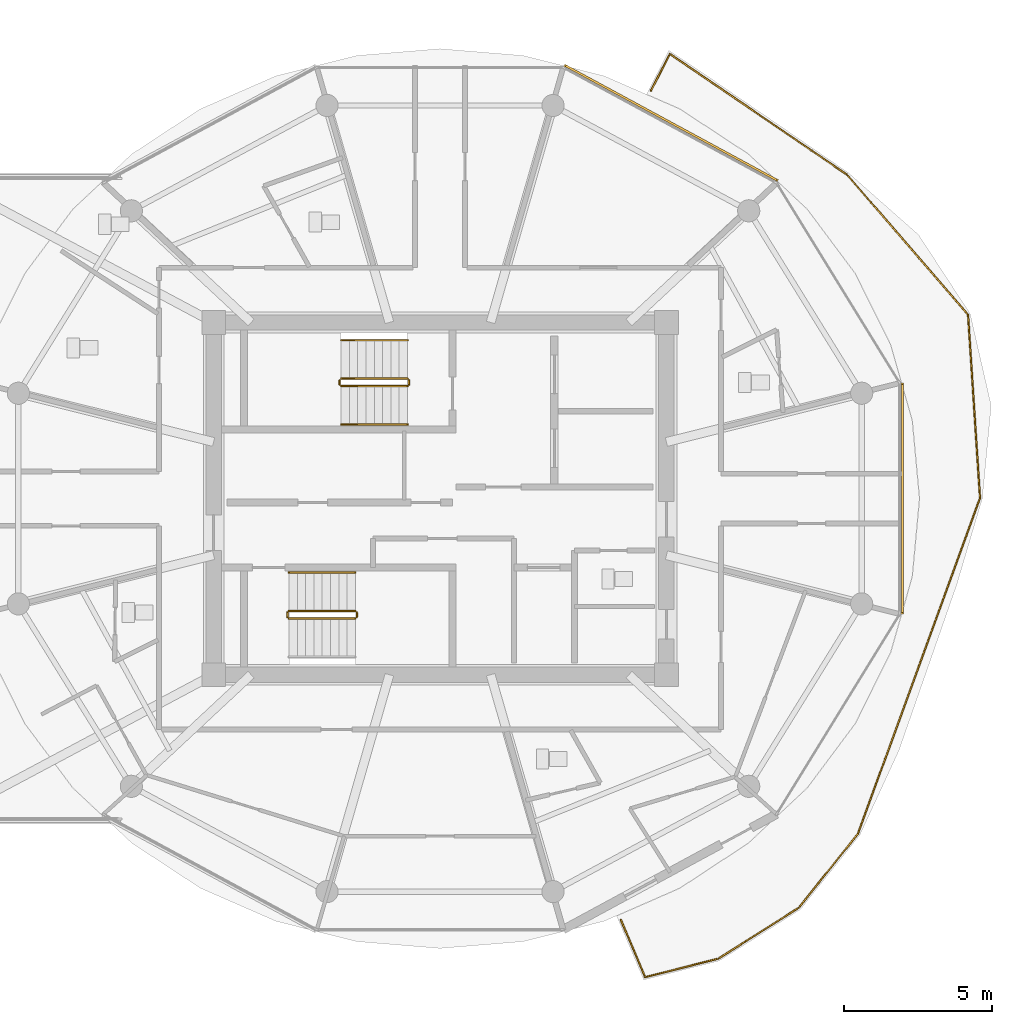
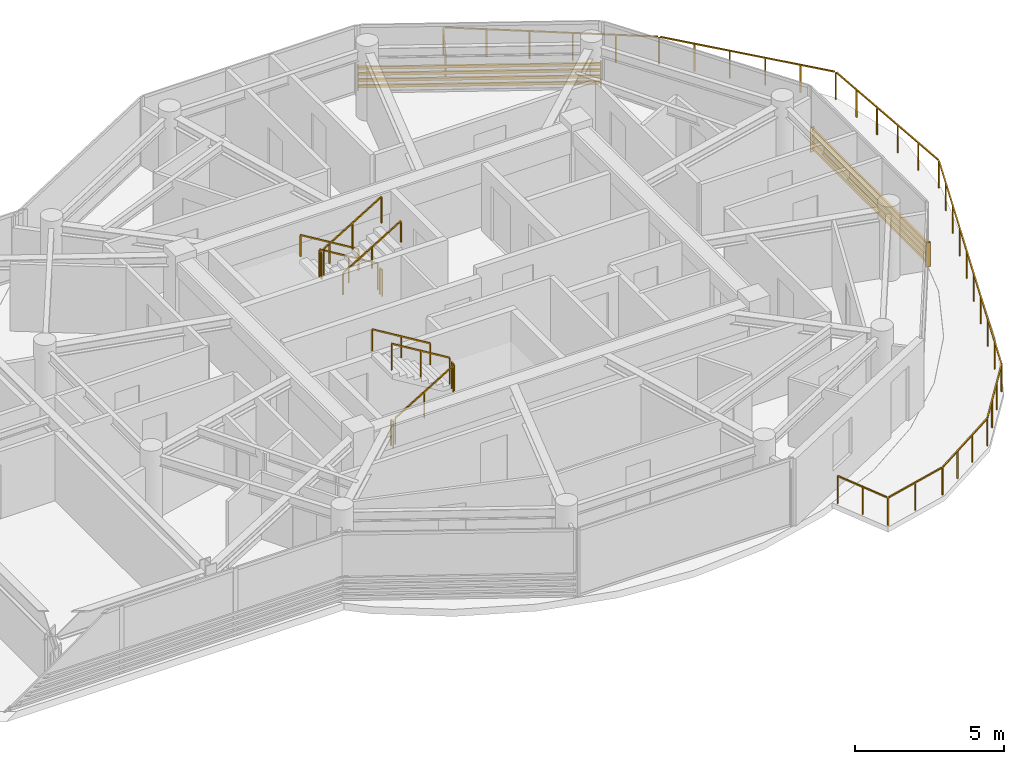
# One storey, part 25 of 26: 13 railings, 2 shading devices.
"""IFC4 building model written with IfcOpenShell, lengths in metres."""

import ifcopenshell
import ifcopenshell.guid

model = None  # the IFC model being written
_history = None  # IfcOwnerHistory: only IFC2X3 demands one
_inside = {}  # id of a spatial element -> (the spatial element, [elements in it])
_under = {}  # id of a project, library or spatial element -> (it, [spatial elements below it])
_declared = {}  # id of a project -> (the project, [libraries it declares])
_typed = {}  # id of a type object -> (the type object, [elements of that type])
_made_of = {}  # id of a material, layer set ... -> (it, [elements and type objects made of it])


def new_model(schema):
    """Start an empty IFC model of exactly this schema.

    Asked for "IFC4X3", IfcOpenShell would pick the latest addendum, in which some entities
    have other attributes; the version numbers below select the first issue.
    IFC2X3 requires an IfcOwnerHistory on every rooted entity: one is made here for all.
    """
    global model, _history
    if schema == "IFC4X3":
        model = ifcopenshell.file(schema_version=(4, 3, 0, 0))
    else:
        model = ifcopenshell.file(schema=schema)
    _inside.clear()
    _under.clear()
    _declared.clear()
    _typed.clear()
    _made_of.clear()
    _history = None
    if model.schema == "IFC2X3":
        org = make("IfcOrganization", Name="unknown")
        user = make(
            "IfcPersonAndOrganization",
            ThePerson=make("IfcPerson", FamilyName="unknown"),
            TheOrganization=org,
        )
        app = make(
            "IfcApplication",
            ApplicationDeveloper=org,
            Version="unknown",
            ApplicationFullName="unknown",
            ApplicationIdentifier="unknown",
        )
        _history = make(
            "IfcOwnerHistory",
            OwningUser=user,
            OwningApplication=app,
            ChangeAction="ADDED",
            CreationDate=0,
        )
    return model


def make(cls, **values):
    """One entity of the class cls with the attributes given. An attribute that is None is left unset."""
    return model.create_entity(
        cls, **{name: value for name, value in values.items() if value is not None}
    )


def rooted(cls, **values):
    """An entity with a GlobalId (a new one), such as an element, a storey or a relation."""
    return make(cls, GlobalId=ifcopenshell.guid.new(), OwnerHistory=_history, **values)


def si_unit(unit_type, name, prefix=None):
    """IfcSIUnit, for example si_unit("LENGTHUNIT", "METRE", prefix="MILLI")."""
    return make("IfcSIUnit", UnitType=unit_type, Prefix=prefix, Name=name)


def assignment(units):
    """IfcUnitAssignment: the units of a project."""
    return None if units is None else make("IfcUnitAssignment", Units=units)


def point(xyz):
    """IfcCartesianPoint."""
    return None if xyz is None else make("IfcCartesianPoint", Coordinates=xyz)


def direction(xyz):
    """IfcDirection."""
    return None if xyz is None else make("IfcDirection", DirectionRatios=xyz)


def frame(location, z_axis=None, x_axis=None):
    """IfcAxis2Placement3D, a coordinate frame: its origin and axes. An axis left out is left unset."""
    return make(
        "IfcAxis2Placement3D",
        Location=point(location),
        Axis=direction(z_axis),
        RefDirection=direction(x_axis),
    )


def frame_2d(location, x_axis=None):
    """IfcAxis2Placement2D, a coordinate frame in the plane: its origin and x axis."""
    return make(
        "IfcAxis2Placement2D", Location=point(location), RefDirection=direction(x_axis)
    )


def origin():
    """The frame at (0, 0, 0) with its axes left unset."""
    return frame((0.0, 0.0, 0.0))


def origin_2d():
    """The frame at (0, 0) in the plane with its x axis left unset."""
    return frame_2d((0.0, 0.0))


def place(relative_to, where):
    """IfcLocalPlacement: puts the frame where relative to a parent placement (None: the world)."""
    return make(
        "IfcLocalPlacement", PlacementRelTo=relative_to, RelativePlacement=where
    )


def context(
    kind, dimensions, precision=None, world=None, true_north=None, identifier=None
):
    """IfcGeometricRepresentationContext, for example the 3D "Model" context."""
    return make(
        "IfcGeometricRepresentationContext",
        ContextIdentifier=identifier,
        ContextType=kind,
        CoordinateSpaceDimension=dimensions,
        Precision=precision,
        WorldCoordinateSystem=world,
        TrueNorth=true_north,
    )


def subcontext(parent, identifier, kind, view, scale=None):
    """IfcGeometricRepresentationSubContext, for example "Body" below "Model"."""
    return make(
        "IfcGeometricRepresentationSubContext",
        ContextIdentifier=identifier,
        ContextType=kind,
        ParentContext=parent,
        TargetScale=scale,
        TargetView=view,
    )


def project(units=None, contexts=None):
    """IfcProject with its units and contexts."""
    return rooted(
        "IfcProject",
        Name="project",
        RepresentationContexts=contexts,
        UnitsInContext=assignment(units),
    )


def spatial(cls, under=None, at=None, **own):
    """A site, building, storey or space (cls), placed at a placement, below another one or the project."""
    s = rooted(cls, ObjectPlacement=at, **own)
    if under is not None:
        _under.setdefault(under.id(), (under, []))[1].append(s)
    return s


def profile(cls, at=None, kind="AREA", **sizes):
    """A parametric profile (cls). Its sizes go by their IFC names, for example OverallWidth=200.0."""
    return make(cls, ProfileType=kind, Position=at, **sizes)


def rectangle(**sizes):
    """IfcRectangleProfileDef."""
    return profile("IfcRectangleProfileDef", **sizes)


def extrude(swept, where, along, depth):
    """IfcExtrudedAreaSolid: the profile swept, set in the frame where, extruded along a direction by depth."""
    return make(
        "IfcExtrudedAreaSolid",
        SweptArea=swept,
        Position=where,
        ExtrudedDirection=direction(along),
        Depth=depth,
    )


def shape(context_of_items, identifier, shape_type, items):
    """IfcShapeRepresentation: the items that make up one representation, for example the "Body"."""
    return make(
        "IfcShapeRepresentation",
        ContextOfItems=context_of_items,
        RepresentationIdentifier=identifier,
        RepresentationType=shape_type,
        Items=items,
    )


def source(mapping_origin, context_of_items, identifier, shape_type, items):
    """IfcRepresentationMap: a shape defined once, which mapped items show again and again."""
    return make(
        "IfcRepresentationMap",
        MappingOrigin=mapping_origin,
        MappedRepresentation=shape(context_of_items, identifier, shape_type, items),
    )


def transform(
    local_origin,
    x_axis=None,
    y_axis=None,
    z_axis=None,
    scale=None,
    scale2=None,
    scale3=None,
    uniform=True,
):
    """IfcCartesianTransformationOperator3D, or its non-uniform kind. x_axis, y_axis, z_axis: its Axis1, 2, 3."""
    if uniform:
        return make(
            "IfcCartesianTransformationOperator3D",
            Axis1=direction(x_axis),
            Axis2=direction(y_axis),
            LocalOrigin=point(local_origin),
            Scale=scale,
            Axis3=direction(z_axis),
        )
    return make(
        "IfcCartesianTransformationOperator3DnonUniform",
        Axis1=direction(x_axis),
        Axis2=direction(y_axis),
        LocalOrigin=point(local_origin),
        Scale=scale,
        Axis3=direction(z_axis),
        Scale2=scale2,
        Scale3=scale3,
    )


def mapped(mapping_source, mapping_target):
    """IfcMappedItem: shows the shape of a source again, moved by a transform."""
    return make(
        "IfcMappedItem", MappingSource=mapping_source, MappingTarget=mapping_target
    )


def material(Name=None, Category=None):
    """IfcMaterial."""
    return make("IfcMaterial", Name=Name, Category=Category)


def made_of(thing, what):
    """Note that an element or type object is made of a material, layer set ...; save() writes the relation."""
    if what is not None:
        _made_of.setdefault(what.id(), (what, []))[1].append(thing)
    return thing


def type_object(cls, material=None, **own):
    """A type object (cls), such as IfcWallType, which elements share."""
    return made_of(rooted(cls, **own), material)


def type_shapes(of_type, sources):
    """Give a type object the sources (RepresentationMaps) that its elements show as mapped items."""
    of_type.RepresentationMaps = sources


def element(
    cls,
    number,
    at=None,
    inside=None,
    cuts=None,
    type_object=None,
    material=None,
    context=None,
    identifier="Body",
    shape_type=None,
    held_by="IfcProductDefinitionShape",
    body=None,
    shapes=None,
    **own,
):
    """One element of the class cls, such as IfcWall. Its Tag is "e" and its number.

    at: its placement. inside: the storey or other place that contains it. cuts: it is an
    opening in that element (IfcRelVoidsElement). A single representation is given by context,
    identifier, shape_type and body (its items); several are given by shapes. held_by: the class
    of the entity that holds the representations. save() writes the other relations.
    """
    e = rooted(cls, Tag="e%d" % number, ObjectPlacement=at, **own)
    if body is not None:
        shapes = [shape(context, identifier, shape_type, body)]
    if shapes is not None:
        e.Representation = make(held_by, Representations=shapes)
    if inside is not None:
        _inside.setdefault(inside.id(), (inside, []))[1].append(e)
    if cuts is not None:
        rooted(
            "IfcRelVoidsElement", RelatingBuildingElement=cuts, RelatedOpeningElement=e
        )
    if type_object is not None:
        _typed.setdefault(type_object.id(), (type_object, []))[1].append(e)
    return made_of(e, material)


def aggregate(whole, parts):
    """IfcRelAggregates: a whole, such as a stair, and the parts it consists of."""
    return rooted("IfcRelAggregates", RelatingObject=whole, RelatedObjects=parts)


def save(model, path):
    """Write the relations noted so far, then the file.

    IfcRelAggregates (storeys below a building ...), IfcRelContainedInSpatialStructure (elements
    in a storey), IfcRelDefinesByType, IfcRelAssociatesMaterial and IfcRelDeclares: one each for
    every whole, place, type object, material and project.
    """
    for whole, parts in _under.values():
        aggregate(whole, parts)
    for where, things in _inside.values():
        rooted(
            "IfcRelContainedInSpatialStructure",
            RelatedElements=things,
            RelatingStructure=where,
        )
    for kind, things in _typed.values():
        rooted("IfcRelDefinesByType", RelatedObjects=things, RelatingType=kind)
    for what, things in _made_of.values():
        rooted("IfcRelAssociatesMaterial", RelatedObjects=things, RelatingMaterial=what)
    for by, libraries in _declared.values():
        rooted("IfcRelDeclares", RelatingContext=by, RelatedDefinitions=libraries)
    model.write(path)


model = new_model("IFC4")

# Units and contexts
model_context = context("Model", 3, precision=1e-05, world=origin(), true_north=direction((0.0, 1.0)))
body_context = subcontext(model_context, "Body", "Model", "MODEL_VIEW")
ifc_project = project(units=[si_unit("LENGTHUNIT", "METRE"), si_unit("AREAUNIT", "SQUARE_METRE"), si_unit("VOLUMEUNIT", "CUBIC_METRE"), si_unit("PLANEANGLEUNIT", "RADIAN"), si_unit("MASSUNIT", "GRAM", prefix="KILO")], contexts=[model_context])

# Site, building, storey
site_placement = place(None, origin())
site = spatial("IfcSite", under=ifc_project, at=site_placement, CompositionType="ELEMENT")
building_placement = place(site_placement, origin())
building = spatial("IfcBuilding", under=site, at=building_placement, Name="Norrkilde Senior Care Towers", CompositionType="ELEMENT")
storey_placement = place(building_placement, frame((0.0, 0.0, 210.85009765625)))
storey = spatial("IfcBuildingStorey", under=building, at=storey_placement, Name="L65", CompositionType="ELEMENT", Elevation=210.85009765625)

# Railings
ifc_material_1 = material(Name="Anodised Aluminium", Category="aluminium")
railing_type_1 = type_object("IfcRailingType", Name="Balcony Swirl Ribbon Guardrail 1150", PredefinedType="GUARDRAIL", material=ifc_material_1)
railing_1_placement = place(storey_placement, frame((42.122802734375, -11.3212890625, 0.0)))
element("IfcRailing", 1, at=railing_1_placement, inside=storey, type_object=railing_type_1, Name="L65 Perimeter Safety Guard 01", PredefinedType="GUARDRAIL", context=body_context, shape_type="SweptSolid", body=[
    extrude(rectangle(XDim=0.048095703125, YDim=0.048095703125, at=origin_2d()), frame((0.0, 0.0, 1.1259765625), z_axis=(-0.623867624209, -0.78153002979, 0.0), x_axis=(0.78153002979, -0.623867624209, 0.0)), (0.0, 0.0, 1.0), 3.1630859375),
    extrude(rectangle(XDim=0.048095703125, YDim=0.048095703125, at=origin_2d()), frame((-2.033447265625, -2.525634765625, 1.1259765625), z_axis=(-0.845186378961, -0.534471687574, 0.0), x_axis=(0.534471687574, -0.845186378961, 0.0)), (0.0, 0.0, 1.0), 3.141357421875),
    extrude(rectangle(XDim=0.048095703125, YDim=0.048095703125, at=origin_2d()), frame((-4.762451171875, -4.236572265625, 1.1259765625), z_axis=(-0.969485289583, -0.245149491704, 0.0), x_axis=(0.245149491704, -0.969485289583, 0.0)), (0.0, 0.0, 1.0), 2.466796875),
    extrude(rectangle(XDim=0.048095703125, YDim=0.048095703125, at=origin_2d()), frame((-7.20947265625, -4.813720703125, 1.1259765625), z_axis=(-0.389692896759, 0.920944866002, 0.0), x_axis=(-0.920944866002, -0.389692896759, 0.0)), (0.0, 0.0, 1.0), 2.066650390625),
    extrude(rectangle(XDim=0.0419921875, YDim=0.0419921875, at=origin_2d()), origin(), (0.0, 0.0, 1.0), 1.099853515625),
    extrude(rectangle(XDim=0.0419921875, YDim=0.0419921875, at=origin_2d()), frame((-0.666259765625, -0.834716796875, 0.0)), (0.0, 0.0, 1.0), 1.099853515625),
    extrude(rectangle(XDim=0.0419921875, YDim=0.0419921875, at=origin_2d()), frame((-1.33251953125, -1.669189453125, 0.0)), (0.0, 0.0, 1.0), 1.099853515625),
    extrude(rectangle(XDim=0.0419921875, YDim=0.0419921875, at=origin_2d()), frame((-1.998779296875, -2.50390625, 0.0)), (0.0, 0.0, 1.0), 1.099853515625),
    extrude(rectangle(XDim=0.0419921875, YDim=0.0419921875, at=origin_2d()), frame((-2.90673828125, -3.078125, 0.0)), (0.0, 0.0, 1.0), 1.099853515625),
    extrude(rectangle(XDim=0.0419921875, YDim=0.0419921875, at=origin_2d()), frame((-3.81494140625, -3.65234375, 0.0)), (0.0, 0.0, 1.0), 1.099853515625),
    extrude(rectangle(XDim=0.0419921875, YDim=0.0419921875, at=origin_2d()), frame((-4.722900390625, -4.2265625, 0.0)), (0.0, 0.0, 1.0), 1.099853515625),
    extrude(rectangle(XDim=0.0419921875, YDim=0.0419921875, at=origin_2d()), frame((-5.958251953125, -4.5390625, 0.0)), (0.0, 0.0, 1.0), 1.099853515625),
    extrude(rectangle(XDim=0.0419921875, YDim=0.0419921875, at=origin_2d()), frame((-7.193603515625, -4.851318359375, 0.0)), (0.0, 0.0, 1.0), 1.099853515625),
    extrude(rectangle(XDim=0.0419921875, YDim=0.0419921875, at=origin_2d()), frame((-7.604248046875, -3.880859375, 0.0)), (0.0, 0.0, 1.0), 1.099853515625),
    extrude(rectangle(XDim=0.0419921875, YDim=0.0419921875, at=origin_2d()), frame((-8.014892578125, -2.910400390625, 0.0)), (0.0, 0.0, 1.0), 1.099853515625),
])
railing_2_placement = place(storey_placement, frame((35.130126953125, 13.784423828125, 0.0)))
element("IfcRailing", 2, at=railing_2_placement, inside=storey, type_object=railing_type_1, Name="L65 Perimeter Safety Guard 02", PredefinedType="GUARDRAIL", context=body_context, shape_type="SweptSolid", body=[
    extrude(rectangle(XDim=0.048095703125, YDim=0.048095703125, at=origin_2d()), frame((0.0, 0.0, 1.1259765625), z_axis=(0.454762380542, 0.890612809948, 0.0), x_axis=(-0.890612809948, 0.454762380542, 0.0)), (0.0, 0.0, 1.0), 1.353271484375),
    extrude(rectangle(XDim=0.048095703125, YDim=0.048095703125, at=origin_2d()), frame((0.667724609375, 1.21875, 1.1259765625), z_axis=(0.826237328997, -0.563322177952, 0.0), x_axis=(0.563322177952, 0.826237328997, 0.0)), (0.0, 0.0, 1.0), 7.159423828125),
    extrude(rectangle(XDim=0.048095703125, YDim=0.048095703125, at=origin_2d()), frame((6.643798828125, -2.868408203125, 1.1259765625), z_axis=(0.654000562418, -0.756494061019, 0.0), x_axis=(0.756494061019, 0.654000562418, 0.0)), (0.0, 0.0, 1.0), 6.17822265625),
    extrude(rectangle(XDim=0.048095703125, YDim=0.048095703125, at=origin_2d()), frame((10.713623046875, -7.61376953125, 1.1259765625), z_axis=(0.065229787508, -0.997870269535, 0.0), x_axis=(0.997870269535, 0.065229787508, 0.0)), (0.0, 0.0, 1.0), 6.12744140625),
    extrude(rectangle(XDim=0.048095703125, YDim=0.048095703125, at=origin_2d()), frame((11.10205078125, -13.807373046875, 1.1259765625), z_axis=(-0.341806436588, -0.93977037616, 0.0), x_axis=(0.93977037616, -0.341806436588, 0.0)), (0.0, 0.0, 1.0), 12.0224609375),
    extrude(rectangle(XDim=0.0419921875, YDim=0.0419921875, at=origin_2d()), origin(), (0.0, 0.0, 1.0), 1.099853515625),
    extrude(rectangle(XDim=0.0419921875, YDim=0.0419921875, at=origin_2d()), frame((0.634033203125, 1.24169921875, 0.0)), (0.0, 0.0, 1.0), 1.099853515625),
    extrude(rectangle(XDim=0.0419921875, YDim=0.0419921875, at=origin_2d()), frame((1.83056640625, 0.42578125, 0.0)), (0.0, 0.0, 1.0), 1.099853515625),
    extrude(rectangle(XDim=0.0419921875, YDim=0.0419921875, at=origin_2d()), frame((3.027099609375, -0.389892578125, 0.0)), (0.0, 0.0, 1.0), 1.099853515625),
    extrude(rectangle(XDim=0.0419921875, YDim=0.0419921875, at=origin_2d()), frame((4.223876953125, -1.205810546875, 0.0)), (0.0, 0.0, 1.0), 1.099853515625),
    extrude(rectangle(XDim=0.0419921875, YDim=0.0419921875, at=origin_2d()), frame((5.42041015625, -2.021484375, 0.0)), (0.0, 0.0, 1.0), 1.099853515625),
    extrude(rectangle(XDim=0.0419921875, YDim=0.0419921875, at=origin_2d()), frame((6.616943359375, -2.83740234375, 0.0)), (0.0, 0.0, 1.0), 1.099853515625),
    extrude(rectangle(XDim=0.0419921875, YDim=0.0419921875, at=origin_2d()), frame((7.435791015625, -3.784423828125, 0.0)), (0.0, 0.0, 1.0), 1.099853515625),
    extrude(rectangle(XDim=0.0419921875, YDim=0.0419921875, at=origin_2d()), frame((8.254638671875, -4.731689453125, 0.0)), (0.0, 0.0, 1.0), 1.099853515625),
    extrude(rectangle(XDim=0.0419921875, YDim=0.0419921875, at=origin_2d()), frame((9.0732421875, -5.6787109375, 0.0)), (0.0, 0.0, 1.0), 1.099853515625),
    extrude(rectangle(XDim=0.0419921875, YDim=0.0419921875, at=origin_2d()), frame((9.89208984375, -6.6259765625, 0.0)), (0.0, 0.0, 1.0), 1.099853515625),
    extrude(rectangle(XDim=0.0419921875, YDim=0.0419921875, at=origin_2d()), frame((10.7109375, -7.572998046875, 0.0)), (0.0, 0.0, 1.0), 1.099853515625),
    extrude(rectangle(XDim=0.0419921875, YDim=0.0419921875, at=origin_2d()), frame((10.7919921875, -8.812255859375, 0.0)), (0.0, 0.0, 1.0), 1.099853515625),
    extrude(rectangle(XDim=0.0419921875, YDim=0.0419921875, at=origin_2d()), frame((10.873046875, -10.051513671875, 0.0)), (0.0, 0.0, 1.0), 1.099853515625),
    extrude(rectangle(XDim=0.0419921875, YDim=0.0419921875, at=origin_2d()), frame((10.953857421875, -11.29052734375, 0.0)), (0.0, 0.0, 1.0), 1.099853515625),
    extrude(rectangle(XDim=0.0419921875, YDim=0.0419921875, at=origin_2d()), frame((11.034912109375, -12.52978515625, 0.0)), (0.0, 0.0, 1.0), 1.099853515625),
    extrude(rectangle(XDim=0.0419921875, YDim=0.0419921875, at=origin_2d()), frame((11.115966796875, -13.76904296875, 0.0)), (0.0, 0.0, 1.0), 1.099853515625),
    extrude(rectangle(XDim=0.0419921875, YDim=0.0419921875, at=origin_2d()), frame((10.65771484375, -15.028564453125, 0.0)), (0.0, 0.0, 1.0), 1.099853515625),
    extrude(rectangle(XDim=0.0419921875, YDim=0.0419921875, at=origin_2d()), frame((10.19970703125, -16.288330078125, 0.0)), (0.0, 0.0, 1.0), 1.099853515625),
    extrude(rectangle(XDim=0.0419921875, YDim=0.0419921875, at=origin_2d()), frame((9.741455078125, -17.5478515625, 0.0)), (0.0, 0.0, 1.0), 1.099853515625),
    extrude(rectangle(XDim=0.0419921875, YDim=0.0419921875, at=origin_2d()), frame((9.283447265625, -18.8076171875, 0.0)), (0.0, 0.0, 1.0), 1.099853515625),
    extrude(rectangle(XDim=0.0419921875, YDim=0.0419921875, at=origin_2d()), frame((8.8251953125, -20.067138671875, 0.0)), (0.0, 0.0, 1.0), 1.099853515625),
    extrude(rectangle(XDim=0.0419921875, YDim=0.0419921875, at=origin_2d()), frame((8.3671875, -21.326904296875, 0.0)), (0.0, 0.0, 1.0), 1.099853515625),
    extrude(rectangle(XDim=0.0419921875, YDim=0.0419921875, at=origin_2d()), frame((7.908935546875, -22.58642578125, 0.0)), (0.0, 0.0, 1.0), 1.099853515625),
    extrude(rectangle(XDim=0.0419921875, YDim=0.0419921875, at=origin_2d()), frame((7.450927734375, -23.84619140625, 0.0)), (0.0, 0.0, 1.0), 1.099853515625),
    extrude(rectangle(XDim=0.0419921875, YDim=0.0419921875, at=origin_2d()), frame((6.99267578125, -25.105712890625, 0.0)), (0.0, 0.0, 1.0), 1.099853515625),
])
ifc_material_2 = material(Name="Stainless Steel", Category="steel")
railing_type_2 = type_object("IfcRailingType", Name="Stair and Terrace Guardrail 1100", PredefinedType="GUARDRAIL", material=ifc_material_2)
railing_3_placement = place(storey_placement, frame((26.89990234375, 4.050048828125, 0.16943359375)))
element("IfcRailing", 3, at=railing_3_placement, inside=storey, type_object=railing_type_2, Name="L65 ST-E1 stair guard 1", PredefinedType="GUARDRAIL", context=body_context, shape_type="SweptSolid", body=[
    extrude(rectangle(XDim=0.048095703125, YDim=0.048095703125, at=origin_2d()), frame((0.0, 0.0, 1.076171875), z_axis=(-0.855553338991, 0.0, 0.51771467445), x_axis=(0.0, -1.0, 0.0)), (0.0, 0.0, 1.0), 2.6181640625),
    extrude(rectangle(XDim=0.0419921875, YDim=0.0419921875, at=origin_2d()), origin(), (0.0, 0.0, 1.0), 1.050048828125),
    extrude(rectangle(XDim=0.0419921875, YDim=0.0419921875, at=origin_2d()), frame((-1.1201171875, 0.0, 0.677734375)), (0.0, 0.0, 1.0), 1.050048828125),
    extrude(rectangle(XDim=0.0419921875, YDim=0.0419921875, at=origin_2d()), frame((-2.239990234375, 0.0, 1.35546875)), (0.0, 0.0, 1.0), 1.050048828125),
])
railing_4_placement = place(storey_placement, frame((24.610107421875, 4.0, 1.52490234375)))
element("IfcRailing", 4, at=railing_4_placement, inside=storey, type_object=railing_type_2, Name="L65 ST-E1 stair guard 2", PredefinedType="GUARDRAIL", context=body_context, shape_type="SweptSolid", body=[
    extrude(rectangle(XDim=0.048095703125, YDim=0.048095703125, at=origin_2d()), frame((0.0, 0.0, 1.076171875), z_axis=(0.0, -1.0, 0.0), x_axis=(1.0, 0.0, 0.0)), (0.0, 0.0, 1.0), 0.14990234375),
    extrude(rectangle(XDim=0.0419921875, YDim=0.0419921875, at=origin_2d()), origin(), (0.0, 0.0, 1.0), 1.050048828125),
    extrude(rectangle(XDim=0.0419921875, YDim=0.0419921875, at=origin_2d()), frame((0.0, -0.14990234375, 0.0)), (0.0, 0.0, 1.0), 1.050048828125),
])
railing_5_placement = place(storey_placement, frame((24.659912109375, 3.800048828125, 1.6943359375)))
element("IfcRailing", 5, at=railing_5_placement, inside=storey, type_object=railing_type_2, Name="L65 ST-E1 stair guard 3", PredefinedType="GUARDRAIL", context=body_context, shape_type="SweptSolid", body=[
    extrude(rectangle(XDim=0.048095703125, YDim=0.048095703125, at=origin_2d()), frame((0.0, 0.0, 1.076171875), z_axis=(0.855553338991, 0.0, 0.51771467445), x_axis=(0.0, 1.0, 0.0)), (0.0, 0.0, 1.0), 2.6181640625),
    extrude(rectangle(XDim=0.0419921875, YDim=0.0419921875, at=origin_2d()), origin(), (0.0, 0.0, 1.0), 1.050048828125),
    extrude(rectangle(XDim=0.0419921875, YDim=0.0419921875, at=origin_2d()), frame((1.1201171875, 0.0, 0.677734375)), (0.0, 0.0, 1.0), 1.050048828125),
    extrude(rectangle(XDim=0.0419921875, YDim=0.0419921875, at=origin_2d()), frame((2.239990234375, 0.0, 1.35546875)), (0.0, 0.0, 1.0), 1.050048828125),
])
railing_6_placement = place(storey_placement, frame((26.949951171875, 4.0, 0.0)))
element("IfcRailing", 6, at=railing_6_placement, inside=storey, type_object=railing_type_2, Name="L65 ST-E1 stair guard 4", PredefinedType="GUARDRAIL", context=body_context, shape_type="SweptSolid", body=[
    extrude(rectangle(XDim=0.048095703125, YDim=0.048095703125, at=origin_2d()), frame((0.0, 0.0, 1.076171875), z_axis=(0.0, -1.0, 0.0), x_axis=(1.0, 0.0, 0.0)), (0.0, 0.0, 1.0), 0.14990234375),
    extrude(rectangle(XDim=0.0419921875, YDim=0.0419921875, at=origin_2d()), origin(), (0.0, 0.0, 1.0), 1.050048828125),
    extrude(rectangle(XDim=0.0419921875, YDim=0.0419921875, at=origin_2d()), frame((0.0, -0.14990234375, 0.0)), (0.0, 0.0, 1.0), 1.050048828125),
])
railing_7_placement = place(storey_placement, frame((22.89990234375, -4.050048828125, 0.16943359375)))
element("IfcRailing", 7, at=railing_7_placement, inside=storey, type_object=railing_type_2, Name="L65 ST-E2 stair guard 1", PredefinedType="GUARDRAIL", context=body_context, shape_type="SweptSolid", body=[
    extrude(rectangle(XDim=0.048095703125, YDim=0.048095703125, at=origin_2d()), frame((0.0, 0.0, 1.076171875), z_axis=(0.855553338991, 0.0, 0.51771467445), x_axis=(0.0, 1.0, 0.0)), (0.0, 0.0, 1.0), 2.6181640625),
    extrude(rectangle(XDim=0.0419921875, YDim=0.0419921875, at=origin_2d()), origin(), (0.0, 0.0, 1.0), 1.050048828125),
    extrude(rectangle(XDim=0.0419921875, YDim=0.0419921875, at=origin_2d()), frame((1.1201171875, 0.0, 0.677734375)), (0.0, 0.0, 1.0), 1.050048828125),
    extrude(rectangle(XDim=0.0419921875, YDim=0.0419921875, at=origin_2d()), frame((2.239990234375, 0.0, 1.35546875)), (0.0, 0.0, 1.0), 1.050048828125),
])
railing_8_placement = place(storey_placement, frame((25.18994140625, -4.0, 1.52490234375)))
element("IfcRailing", 8, at=railing_8_placement, inside=storey, type_object=railing_type_2, Name="L65 ST-E2 stair guard 2", PredefinedType="GUARDRAIL", context=body_context, shape_type="SweptSolid", body=[
    extrude(rectangle(XDim=0.048095703125, YDim=0.048095703125, at=origin_2d()), frame((0.0, 0.0, 1.076171875), z_axis=(0.0, 1.0, 0.0), x_axis=(-1.0, 0.0, 0.0)), (0.0, 0.0, 1.0), 0.14990234375),
    extrude(rectangle(XDim=0.0419921875, YDim=0.0419921875, at=origin_2d()), origin(), (0.0, 0.0, 1.0), 1.050048828125),
    extrude(rectangle(XDim=0.0419921875, YDim=0.0419921875, at=origin_2d()), frame((0.0, 0.14990234375, 0.0)), (0.0, 0.0, 1.0), 1.050048828125),
])
railing_9_placement = place(storey_placement, frame((25.139892578125, -3.800048828125, 1.6943359375)))
element("IfcRailing", 9, at=railing_9_placement, inside=storey, type_object=railing_type_2, Name="L65 ST-E2 stair guard 3", PredefinedType="GUARDRAIL", context=body_context, shape_type="SweptSolid", body=[
    extrude(rectangle(XDim=0.048095703125, YDim=0.048095703125, at=origin_2d()), frame((0.0, 0.0, 1.076171875), z_axis=(-0.855553338991, 0.0, 0.51771467445), x_axis=(0.0, -1.0, 0.0)), (0.0, 0.0, 1.0), 2.6181640625),
    extrude(rectangle(XDim=0.0419921875, YDim=0.0419921875, at=origin_2d()), origin(), (0.0, 0.0, 1.0), 1.050048828125),
    extrude(rectangle(XDim=0.0419921875, YDim=0.0419921875, at=origin_2d()), frame((-1.1201171875, 0.0, 0.677734375)), (0.0, 0.0, 1.0), 1.050048828125),
    extrude(rectangle(XDim=0.0419921875, YDim=0.0419921875, at=origin_2d()), frame((-2.239990234375, 0.0, 1.35546875)), (0.0, 0.0, 1.0), 1.050048828125),
])
railing_10_placement = place(storey_placement, frame((22.85009765625, -4.0, 0.0)))
element("IfcRailing", 10, at=railing_10_placement, inside=storey, type_object=railing_type_2, Name="L65 ST-E2 stair guard 4", PredefinedType="GUARDRAIL", context=body_context, shape_type="SweptSolid", body=[
    extrude(rectangle(XDim=0.048095703125, YDim=0.048095703125, at=origin_2d()), frame((0.0, 0.0, 1.076171875), z_axis=(0.0, 1.0, 0.0), x_axis=(-1.0, 0.0, 0.0)), (0.0, 0.0, 1.0), 0.14990234375),
    extrude(rectangle(XDim=0.0419921875, YDim=0.0419921875, at=origin_2d()), origin(), (0.0, 0.0, 1.0), 1.050048828125),
    extrude(rectangle(XDim=0.0419921875, YDim=0.0419921875, at=origin_2d()), frame((0.0, 0.14990234375, 0.0)), (0.0, 0.0, 1.0), 1.050048828125),
])
ifc_material_3 = material(Name="Nordic Ash Timber", Category="wood")
railing_type_3 = type_object("IfcRailingType", Name="Wall and Stair Handrail 900", PredefinedType="HANDRAIL", material=ifc_material_3)
railing_11_placement = place(storey_placement, frame((26.89990234375, 5.35009765625, 0.16943359375)))
element("IfcRailing", 11, at=railing_11_placement, inside=storey, type_object=railing_type_3, Name="L65 ST-E1 stair handrail 1", PredefinedType="HANDRAIL", context=body_context, shape_type="SweptSolid", body=[
    extrude(rectangle(XDim=0.048095703125, YDim=0.048095703125, at=origin_2d()), frame((0.0, 0.0, 0.8759765625), z_axis=(-0.855553338991, 0.0, 0.51771467445), x_axis=(0.0, -1.0, 0.0)), (0.0, 0.0, 1.0), 2.6181640625),
    extrude(rectangle(XDim=0.0419921875, YDim=0.0419921875, at=origin_2d()), origin(), (0.0, 0.0, 1.0), 0.849853515625),
    extrude(rectangle(XDim=0.0419921875, YDim=0.0419921875, at=origin_2d()), frame((-1.1201171875, 0.0, 0.677734375)), (0.0, 0.0, 1.0), 0.849853515625),
    extrude(rectangle(XDim=0.0419921875, YDim=0.0419921875, at=origin_2d()), frame((-2.239990234375, 0.0, 1.35546875)), (0.0, 0.0, 1.0), 0.849853515625),
])
railing_12_placement = place(storey_placement, frame((24.659912109375, 2.5, 1.6943359375)))
element("IfcRailing", 12, at=railing_12_placement, inside=storey, type_object=railing_type_3, Name="L65 ST-E1 stair handrail 2", PredefinedType="HANDRAIL", context=body_context, shape_type="SweptSolid", body=[
    extrude(rectangle(XDim=0.048095703125, YDim=0.048095703125, at=origin_2d()), frame((0.0, 0.0, 0.8759765625), z_axis=(0.855553338991, 0.0, 0.51771467445), x_axis=(0.0, 1.0, 0.0)), (0.0, 0.0, 1.0), 2.6181640625),
    extrude(rectangle(XDim=0.0419921875, YDim=0.0419921875, at=origin_2d()), origin(), (0.0, 0.0, 1.0), 0.849853515625),
    extrude(rectangle(XDim=0.0419921875, YDim=0.0419921875, at=origin_2d()), frame((1.1201171875, 0.0, 0.677734375)), (0.0, 0.0, 1.0), 0.849853515625),
    extrude(rectangle(XDim=0.0419921875, YDim=0.0419921875, at=origin_2d()), frame((2.239990234375, 0.0, 1.35546875)), (0.0, 0.0, 1.0), 0.849853515625),
])
railing_13_placement = place(storey_placement, frame((25.139892578125, -2.5, 1.6943359375)))
element("IfcRailing", 13, at=railing_13_placement, inside=storey, type_object=railing_type_3, Name="L65 ST-E2 stair handrail 2", PredefinedType="HANDRAIL", context=body_context, shape_type="SweptSolid", body=[
    extrude(rectangle(XDim=0.048095703125, YDim=0.048095703125, at=origin_2d()), frame((0.0, 0.0, 0.8759765625), z_axis=(-0.855553338991, 0.0, 0.51771467445), x_axis=(0.0, -1.0, 0.0)), (0.0, 0.0, 1.0), 2.6181640625),
    extrude(rectangle(XDim=0.0419921875, YDim=0.0419921875, at=origin_2d()), origin(), (0.0, 0.0, 1.0), 0.849853515625),
    extrude(rectangle(XDim=0.0419921875, YDim=0.0419921875, at=origin_2d()), frame((-1.1201171875, 0.0, 0.677734375)), (0.0, 0.0, 1.0), 0.849853515625),
    extrude(rectangle(XDim=0.0419921875, YDim=0.0419921875, at=origin_2d()), frame((-2.239990234375, 0.0, 1.35546875)), (0.0, 0.0, 1.0), 0.849853515625),
])

# Shading devices
ifc_material_4 = material(Name="Architectural Terracotta", Category="masonry")
shading_device_type = type_object("IfcShadingDeviceType", Name="Horizontal Terracotta Baguette Rack", PredefinedType="USERDEFINED", material=ifc_material_4)
shared_shape_1 = source(origin(), body_context, "Body", "SweptSolid", [
    extrude(rectangle(XDim=0.070068359375, YDim=0.110107421875, at=origin_2d()), frame((0.0, 0.090087890625, 0.125), z_axis=(1.0, 0.0, 0.0), x_axis=(0.0, 1.0, 0.0)), (0.0, 0.0, 1.0), 8.197265625),
    extrude(rectangle(XDim=0.070068359375, YDim=0.110107421875, at=origin_2d()), frame((0.0, 0.090087890625, 0.375), z_axis=(1.0, 0.0, 0.0), x_axis=(0.0, 1.0, 0.0)), (0.0, 0.0, 1.0), 8.197265625),
    extrude(rectangle(XDim=0.070068359375, YDim=0.110107421875, at=origin_2d()), frame((0.0, 0.090087890625, 0.625), z_axis=(1.0, 0.0, 0.0), x_axis=(0.0, 1.0, 0.0)), (0.0, 0.0, 1.0), 8.197265625),
    extrude(rectangle(XDim=0.070068359375, YDim=0.110107421875, at=origin_2d()), frame((0.0, 0.090087890625, 0.875), z_axis=(1.0, 0.0, 0.0), x_axis=(0.0, 1.0, 0.0)), (0.0, 0.0, 1.0), 8.197265625),
    extrude(rectangle(XDim=0.050048828125, YDim=0.1552734375, at=origin_2d()), frame((0.02490234375, 0.047607421875, 0.0)), (0.0, 0.0, 1.0), 1.0),
    extrude(rectangle(XDim=0.050048828125, YDim=0.1552734375, at=origin_2d()), frame((8.17236328125, 0.047607421875, 0.0)), (0.0, 0.0, 1.0), 1.0),
])
shading_device_1_placement = place(storey_placement, frame((32.161865234375, 14.566162109375, 0.079833984375), z_axis=(0.0, 0.0, 1.0), x_axis=(0.879378127234, -0.476143674053, 0.0)))
element("IfcShadingDevice", 14, at=shading_device_1_placement, inside=storey, type_object=shading_device_type, Name="L65 Drum E Terracotta Baguette Screen 01", ObjectType="BAGUETTE", PredefinedType="USERDEFINED", context=body_context, shape_type="MappedRepresentation", body=[
    mapped(shared_shape_1, transform((0.0, 0.0, 0.0), x_axis=(1.0, 0.0, 0.0), y_axis=(0.0, 1.0, 0.0), z_axis=(0.0, 0.0, 1.0), scale=1.0)),
])
shared_shape_2 = source(origin(), body_context, "Body", "SweptSolid", [
    extrude(rectangle(XDim=0.070068359375, YDim=0.110107421875, at=origin_2d()), frame((0.0, 0.090087890625, 0.125), z_axis=(1.0, 0.0, 0.0), x_axis=(0.0, 1.0, 0.0)), (0.0, 0.0, 1.0), 7.80615234375),
    extrude(rectangle(XDim=0.070068359375, YDim=0.110107421875, at=origin_2d()), frame((0.0, 0.090087890625, 0.375), z_axis=(1.0, 0.0, 0.0), x_axis=(0.0, 1.0, 0.0)), (0.0, 0.0, 1.0), 7.80615234375),
    extrude(rectangle(XDim=0.070068359375, YDim=0.110107421875, at=origin_2d()), frame((0.0, 0.090087890625, 0.625), z_axis=(1.0, 0.0, 0.0), x_axis=(0.0, 1.0, 0.0)), (0.0, 0.0, 1.0), 7.80615234375),
    extrude(rectangle(XDim=0.070068359375, YDim=0.110107421875, at=origin_2d()), frame((0.0, 0.090087890625, 0.875), z_axis=(1.0, 0.0, 0.0), x_axis=(0.0, 1.0, 0.0)), (0.0, 0.0, 1.0), 7.80615234375),
    extrude(rectangle(XDim=0.050048828125, YDim=0.1552734375, at=origin_2d()), frame((0.02490234375, 0.047607421875, 0.0)), (0.0, 0.0, 1.0), 1.0),
    extrude(rectangle(XDim=0.050048828125, YDim=0.1552734375, at=origin_2d()), frame((7.78125, 0.047607421875, 0.0)), (0.0, 0.0, 1.0), 1.0),
])
type_shapes(shading_device_type, [shared_shape_1, shared_shape_2])
shading_device_2_placement = place(storey_placement, frame((43.531982421875, 3.903076171875, 0.079833984375), z_axis=(0.0, 0.0, 1.0), x_axis=(0.0, -1.0, 0.0)))
element("IfcShadingDevice", 15, at=shading_device_2_placement, inside=storey, type_object=shading_device_type, Name="L65 Drum E Terracotta Baguette Screen 11", ObjectType="BAGUETTE", PredefinedType="USERDEFINED", context=body_context, shape_type="MappedRepresentation", body=[
    mapped(shared_shape_2, transform((0.0, 0.0, 0.0), x_axis=(1.0, 0.0, 0.0), y_axis=(0.0, 1.0, 0.0), z_axis=(0.0, 0.0, 1.0), scale=1.0)),
])

save(model, "model.ifc")
